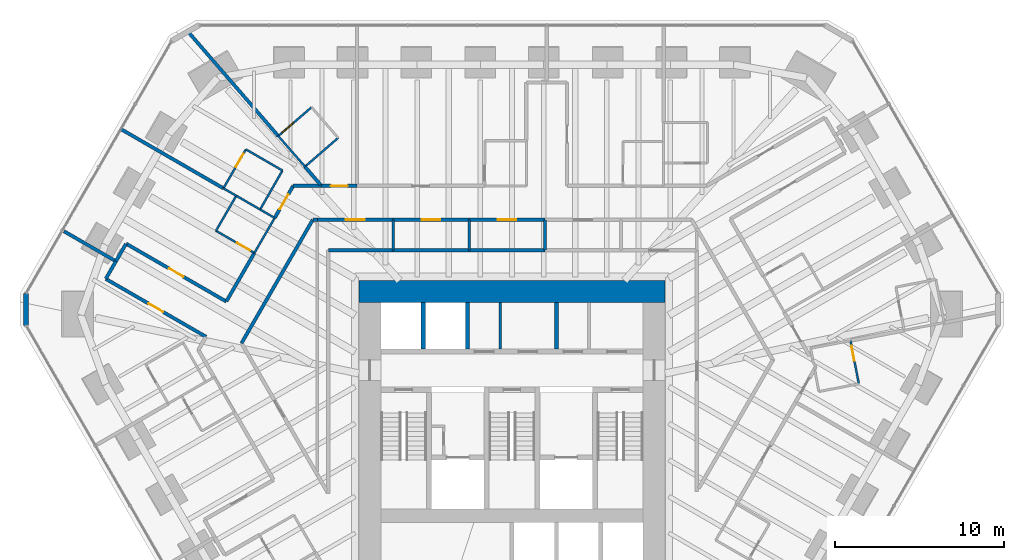
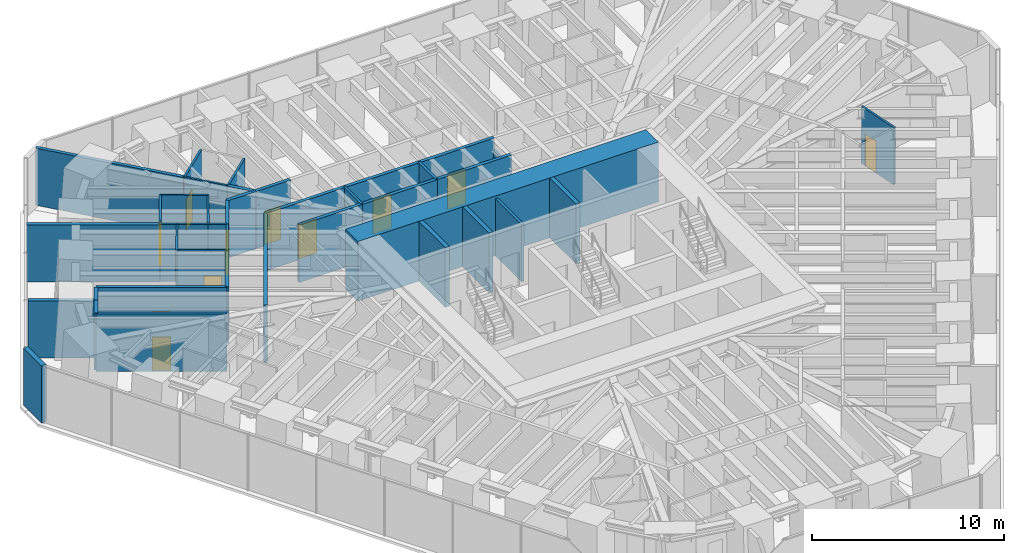
# One storey, part 14 of 17: 42 walls, 11 doors, 11 openings.
"""IFC4 building model written with IfcOpenShell, lengths in metres."""

from ifc_helpers import new_model, si_unit, direction, frame, frame_2d, origin, place, context, subcontext, project, spatial, rectangle, extrude, material, layer, layer_set, type_object, element, fill, save


model = new_model("IFC4")

# Units and contexts
model_context = context("Model", 3, precision=1e-05, world=origin(), true_north=direction((0.0, 1.0)))
body_context = subcontext(model_context, "Body", "Model", "MODEL_VIEW")
ifc_project = project(units=[si_unit("LENGTHUNIT", "METRE"), si_unit("AREAUNIT", "SQUARE_METRE"), si_unit("VOLUMEUNIT", "CUBIC_METRE"), si_unit("PLANEANGLEUNIT", "RADIAN"), si_unit("MASSUNIT", "GRAM", prefix="KILO")], contexts=[model_context])

# Site, building, storey
site_placement = place(None, origin())
site = spatial("IfcSite", under=ifc_project, at=site_placement, CompositionType="ELEMENT")
building_placement = place(site_placement, origin())
building = spatial("IfcBuilding", under=site, at=building_placement, Name="Sandreach Pilgrim Tower", CompositionType="ELEMENT")
storey_placement = place(building_placement, frame((0.0, 0.0, 169.0)))
storey = spatial("IfcBuildingStorey", under=building, at=storey_placement, Name="L42", CompositionType="ELEMENT", Elevation=169.0)

# Walls
ifc_material_1 = material(Name="Gypsum board on steel studs", Category="steel")
ifc_layer_1 = layer(ifc_material_1, 0.14990234375)
ifc_layer_set_1 = layer_set([ifc_layer_1], Name="Back of house wall 150")
wall_type_1 = type_object("IfcWallType", Name="Back of house wall 150", PredefinedType="PARTITIONING", material=ifc_layer_set_1)
for number, where, z_axis, x_axis, name in (
    (1, (-7.02001953125, 10.989990234375, 0.0), (0.0, 0.0, 1.0), (0.0, -1.0, 0.0), "Back of house wall L42-064"),
    (2, (-2.530029296875, 10.989990234375, 0.0), (0.0, 0.0, 1.0), (0.0, -1.0, 0.0), "Back of house wall L42-083"),
):
    element("IfcWall", number, at=place(storey_placement, frame(where, z_axis=z_axis, x_axis=x_axis)), inside=storey, type_object=wall_type_1, Name=name, PredefinedType="PARTITIONING", context=body_context, shape_type="SweptSolid", body=[
        extrude(rectangle(XDim=1.7900390625, YDim=0.14990234375, at=frame_2d((0.89501953125, 0.0))), origin(), (0.0, 0.0, 1.0), 3.639892578125),
    ])
wall_1_placement = place(storey_placement, frame((1.949951171875, 10.989990234375, 0.0), z_axis=(0.0, 0.0, 1.0), x_axis=(0.0, -1.0, 0.0)))
element("IfcWall", 3, at=wall_1_placement, inside=storey, type_object=wall_type_1, Name="Back of house wall L42-099", PredefinedType="PARTITIONING", context=body_context, shape_type="SweptSolid", body=[
    extrude(rectangle(XDim=1.7900390625, YDim=0.14990234375, at=frame_2d((0.89501953125, 0.0))), origin(), (0.0, 0.0, 1.0), 2.860107421875),
])
wall_2_placement = place(storey_placement, frame((-0.699951171875, 3.35009765625, 0.0), z_axis=(0.0, 0.0, 1.0), x_axis=(0.0, 1.0, 0.0)))
element("IfcWall", 4, at=wall_2_placement, inside=storey, type_object=wall_type_1, Name="Core room partition L42 1", PredefinedType="PARTITIONING", context=body_context, shape_type="SweptSolid", body=[
    extrude(rectangle(XDim=2.75, YDim=0.14990234375, at=frame_2d((1.375, 0.0))), origin(), (0.0, 0.0, 1.0), 3.639892578125),
])

# Wall, opening, door
ifc_material_2 = material(Name="Moisture-resistant gypsum board on steel studs", Category="steel")
ifc_layer_2 = layer(ifc_material_2, 0.1201171875)
ifc_layer_set_2 = layer_set([ifc_layer_2], Name="Bathroom partition 120")
wall_type_2 = type_object("IfcWallType", Name="Bathroom partition 120", PredefinedType="PARTITIONING", material=ifc_layer_set_2)
wall_3_placement = place(storey_placement, frame((-17.489990234375, 10.340087890625, 0.0), z_axis=(0.0, 0.0, 1.0), x_axis=(0.866114241029, -0.499846097802, 0.0)))
wall_3 = element("IfcWall", 5, at=wall_3_placement, inside=storey, type_object=wall_type_2, Name="Bathroom partition L42-022", PredefinedType="PARTITIONING", context=body_context, shape_type="SweptSolid", body=[
    extrude(rectangle(XDim=2.620849609375, YDim=0.1201171875, at=frame_2d((1.310546875, 0.0))), origin(), (0.0, 0.0, 1.0), 3.639892578125),
])
opening_1_placement = place(wall_3_placement, frame((1.4208984375, 0.0, 0.0)))
opening_1 = element("IfcOpeningElement", 6, at=opening_1_placement, cuts=wall_3, Name="Opening D09-17B", PredefinedType="OPENING", context=body_context, shape_type="SweptSolid", body=[
    extrude(rectangle(XDim=0.89990234375, YDim=2.030029296875, at=frame_2d((0.449951171875, 1.01513671875))), frame((0.0, 0.06005859375, 0.0), z_axis=(0.0, -1.0, 0.0), x_axis=(1.0, 0.0, 0.0)), (0.0, 0.0, 1.0), 0.1201171875),
])
ifc_material_3 = material(Name="Timber door, steel frame", Category="steel")
door_type_1 = type_object("IfcDoorType", Name="Bathroom door", OperationType="SINGLE_SWING_LEFT", PredefinedType="DOOR", material=ifc_material_3)
door_1_placement = place(opening_1_placement, origin())
door_1 = element("IfcDoor", 7, at=door_1_placement, inside=storey, type_object=door_type_1, Name="Door 4217B", OperationType="SINGLE_SWING_RIGHT", OverallHeight=2.030029296875, OverallWidth=0.89990234375, PredefinedType="DOOR", context=body_context, shape_type="SweptSolid", body=[
    extrude(rectangle(XDim=0.89990234375, YDim=2.030029296875, at=frame_2d((0.449951171875, 1.01513671875))), frame((0.0, 0.02490234375, 0.0), z_axis=(0.0, -1.0, 0.0), x_axis=(1.0, 0.0, 0.0)), (0.0, 0.0, 1.0), 0.050048828125),
])
fill(opening_1, door_1)

# Walls
wall_4_placement = place(storey_placement, frame((-17.050537109375, 12.849365234375, 0.0), z_axis=(0.0, 0.0, 1.0), x_axis=(0.865838315616, -0.500323906295, 0.0)))
element("IfcWall", 8, at=wall_4_placement, inside=storey, type_object=wall_type_2, Name="Bathroom partition L42-023", PredefinedType="PARTITIONING", context=body_context, shape_type="SweptSolid", body=[
    extrude(rectangle(XDim=0.87841796875, YDim=0.1201171875, at=frame_2d((0.439208984375, 0.0))), origin(), (0.0, 0.0, 1.0), 3.639892578125),
])
wall_5_placement = place(storey_placement, frame((-16.2900390625, 12.409912109375, 0.0), z_axis=(0.0, 0.0, 1.0), x_axis=(-0.501547039172, -0.865130376012, 0.0)))
element("IfcWall", 9, at=wall_5_placement, inside=storey, type_object=wall_type_2, Name="Bathroom partition L42-028", PredefinedType="PARTITIONING", context=body_context, shape_type="SweptSolid", body=[
    extrude(rectangle(XDim=2.392578125, YDim=0.1201171875, at=frame_2d((1.1962890625, 0.0))), origin(), (0.0, 0.0, 1.0), 3.639892578125),
])
wall_6_placement = place(storey_placement, frame((-16.2900390625, 12.409912109375, 0.0), z_axis=(0.0, 0.0, 1.0), x_axis=(0.866138091645, -0.499804768086, 0.0)))
element("IfcWall", 10, at=wall_6_placement, inside=storey, type_object=wall_type_2, Name="Bathroom partition L42-029", PredefinedType="PARTITIONING", context=body_context, shape_type="SweptSolid", body=[
    extrude(rectangle(XDim=1.626220703125, YDim=0.1201171875, at=frame_2d((0.81298828125, 0.0))), origin(), (0.0, 0.0, 1.0), 3.639892578125),
])

# Wall, opening, door
wall_7_placement = place(storey_placement, frame((-15.719970703125, 15.14990234375, 0.0), z_axis=(0.0, 0.0, 1.0), x_axis=(-0.500605174168, -0.865675724273, 0.0)))
wall_7 = element("IfcWall", 11, at=wall_7_placement, inside=storey, type_object=wall_type_2, Name="Bathroom partition L42-031", PredefinedType="PARTITIONING", context=body_context, shape_type="SweptSolid", body=[
    extrude(rectangle(XDim=2.656982421875, YDim=0.1201171875, at=frame_2d((1.32861328125, 0.0))), origin(), (0.0, 0.0, 1.0), 3.639892578125),
])
opening_2_placement = place(wall_7_placement, frame((0.300048828125, 0.0, 0.0)))
opening_2 = element("IfcOpeningElement", 12, at=opening_2_placement, cuts=wall_7, Name="Opening D09-18B", PredefinedType="OPENING", context=body_context, shape_type="SweptSolid", body=[
    extrude(rectangle(XDim=0.89990234375, YDim=2.030029296875, at=frame_2d((0.449951171875, 1.01513671875))), frame((0.0, 0.06005859375, 0.0), z_axis=(0.0, -1.0, 0.0), x_axis=(1.0, 0.0, 0.0)), (0.0, 0.0, 1.0), 0.1201171875),
])
door_2_placement = place(opening_2_placement, origin())
door_2 = element("IfcDoor", 13, at=door_2_placement, inside=storey, type_object=door_type_1, Name="Door 4218B", OperationType="SINGLE_SWING_LEFT", OverallHeight=2.030029296875, OverallWidth=0.89990234375, PredefinedType="DOOR", context=body_context, shape_type="SweptSolid", body=[
    extrude(rectangle(XDim=0.89990234375, YDim=2.030029296875, at=frame_2d((0.449951171875, 1.01513671875))), frame((0.0, 0.02490234375, 0.0), z_axis=(0.0, -1.0, 0.0), x_axis=(1.0, 0.0, 0.0)), (0.0, 0.0, 1.0), 0.050048828125),
])
fill(opening_2, door_2)

# Walls
wall_8_placement = place(storey_placement, frame((-15.219970703125, 9.030029296875, 0.0), z_axis=(0.0, 0.0, 1.0), x_axis=(0.501502765098, 0.865156041763, 0.0)))
element("IfcWall", 14, at=wall_8_placement, inside=storey, type_object=wall_type_2, Name="Bathroom partition L42-032", PredefinedType="PARTITIONING", context=body_context, shape_type="SweptSolid", body=[
    extrude(rectangle(XDim=2.392822265625, YDim=0.1201171875, at=frame_2d((1.1962890625, 0.0))), origin(), (0.0, 0.0, 1.0), 3.639892578125),
])
wall_9_placement = place(storey_placement, frame((-14.881591796875, 11.59716796875, 0.0), z_axis=(0.0, 0.0, 1.0), x_axis=(0.866181499781, -0.499729536286, 0.0)))
element("IfcWall", 15, at=wall_9_placement, inside=storey, type_object=wall_type_2, Name="Bathroom partition L42-035", PredefinedType="PARTITIONING", context=body_context, shape_type="SweptSolid", body=[
    extrude(rectangle(XDim=0.99462890625, YDim=0.1201171875, at=frame_2d((0.497314453125, 0.0))), origin(), (0.0, 0.0, 1.0), 3.639892578125),
])
wall_10_placement = place(storey_placement, frame((-14.8798828125, 11.60009765625, 0.0), z_axis=(0.0, 0.0, 1.0), x_axis=(0.497704656183, 0.867346571569, 0.0)))
element("IfcWall", 16, at=wall_10_placement, inside=storey, type_object=wall_type_2, Name="Bathroom partition L42-036", PredefinedType="PARTITIONING", context=body_context, shape_type="SweptSolid", body=[
    extrude(rectangle(XDim=2.65185546875, YDim=0.1201171875, at=frame_2d((1.325927734375, 0.0))), origin(), (0.0, 0.0, 1.0), 3.639892578125),
])
wall_11_placement = place(storey_placement, frame((-13.81005859375, 15.93994140625, 0.0), z_axis=(0.0, 0.0, 1.0), x_axis=(0.657626528627, -0.753344110514, 0.0)))
element("IfcWall", 17, at=wall_11_placement, inside=storey, type_object=wall_type_2, Name="Bathroom partition L42-040", PredefinedType="PARTITIONING", context=body_context, shape_type="SweptSolid", body=[
    extrude(rectangle(XDim=2.402587890625, YDim=0.1201171875, at=frame_2d((1.201171875, 0.0))), origin(), (0.0, 0.0, 1.0), 3.639892578125),
])
wall_12_placement = place(storey_placement, frame((-13.56005859375, 13.89990234375, 0.0), z_axis=(0.0, 0.0, 1.0), x_axis=(-0.865508881864, 0.500893576935, 0.0)))
element("IfcWall", 18, at=wall_12_placement, inside=storey, type_object=wall_type_2, Name="Bathroom partition L42-042", PredefinedType="PARTITIONING", context=body_context, shape_type="SweptSolid", body=[
    extrude(rectangle(XDim=2.49560546875, YDim=0.1201171875, at=frame_2d((1.247802734375, 0.0))), origin(), (0.0, 0.0, 1.0), 3.639892578125),
])
wall_13_placement = place(storey_placement, frame((-12.22998046875, 14.1298828125, 0.0), z_axis=(0.0, 0.0, 1.0), x_axis=(0.755390958893, 0.655274369423, 0.0)))
element("IfcWall", 19, at=wall_13_placement, inside=storey, type_object=wall_type_2, Name="Bathroom partition L42-045", PredefinedType="PARTITIONING", context=body_context, shape_type="SweptSolid", body=[
    extrude(rectangle(XDim=2.5947265625, YDim=0.1201171875, at=frame_2d((1.29736328125, 0.0))), origin(), (0.0, 0.0, 1.0), 3.639892578125),
])

# Wall, opening, door
wall_14_placement = place(storey_placement, frame((-11.840087890625, 17.639892578125, 0.0), z_axis=(0.0, 0.0, 1.0), x_axis=(-0.757086659925, -0.653314464377, 0.0)))
wall_14 = element("IfcWall", 20, at=wall_14_placement, inside=storey, type_object=wall_type_2, Name="Bathroom partition L42-046", PredefinedType="PARTITIONING", context=body_context, shape_type="SweptSolid", body=[
    extrude(rectangle(XDim=2.60205078125, YDim=0.1201171875, at=frame_2d((1.301025390625, 0.0))), origin(), (0.0, 0.0, 1.0), 3.639892578125),
])
opening_3_placement = place(wall_14_placement, frame((1.402099609375, 0.0, 0.0)))
opening_3 = element("IfcOpeningElement", 21, at=opening_3_placement, cuts=wall_14, Name="Opening D09-01B", PredefinedType="OPENING", context=body_context, shape_type="SweptSolid", body=[
    extrude(rectangle(XDim=0.89990234375, YDim=2.030029296875, at=frame_2d((0.449951171875, 1.01513671875))), frame((0.0, 0.06005859375, 0.0), z_axis=(0.0, -1.0, 0.0), x_axis=(1.0, 0.0, 0.0)), (0.0, 0.0, 1.0), 0.1201171875),
])
door_3_placement = place(opening_3_placement, origin())
door_3 = element("IfcDoor", 22, at=door_3_placement, inside=storey, type_object=door_type_1, Name="Door 4201B", OperationType="SINGLE_SWING_RIGHT", OverallHeight=2.030029296875, OverallWidth=0.89990234375, PredefinedType="DOOR", context=body_context, shape_type="SweptSolid", body=[
    extrude(rectangle(XDim=0.89990234375, YDim=2.030029296875, at=frame_2d((0.449951171875, 1.01513671875))), frame((0.0, 0.02490234375, 0.0), z_axis=(0.0, -1.0, 0.0), x_axis=(1.0, 0.0, 0.0)), (0.0, 0.0, 1.0), 0.050048828125),
])
fill(opening_3, door_3)

wall_15_placement = place(storey_placement, frame((20.489990234375, 1.300048828125, 0.0), z_axis=(0.0, 0.0, 1.0), x_axis=(-0.188697442844, 0.982035271802, 0.0)))
wall_15 = element("IfcWall", 23, at=wall_15_placement, inside=storey, type_object=wall_type_2, Name="Bathroom partition L42-174", PredefinedType="PARTITIONING", context=body_context, shape_type="SweptSolid", body=[
    extrude(rectangle(XDim=2.5966796875, YDim=0.1201171875, at=frame_2d((1.29833984375, 0.0))), origin(), (0.0, 0.0, 1.0), 3.639892578125),
])
opening_4_placement = place(wall_15_placement, frame((1.396728515625, 0.0, 0.0)))
opening_4 = element("IfcOpeningElement", 24, at=opening_4_placement, cuts=wall_15, Name="Opening D09-07B", PredefinedType="OPENING", context=body_context, shape_type="SweptSolid", body=[
    extrude(rectangle(XDim=0.89990234375, YDim=2.030029296875, at=frame_2d((0.449951171875, 1.01513671875))), frame((0.0, 0.06005859375, 0.0), z_axis=(0.0, -1.0, 0.0), x_axis=(1.0, 0.0, 0.0)), (0.0, 0.0, 1.0), 0.1201171875),
])
door_4_placement = place(opening_4_placement, origin())
door_4 = element("IfcDoor", 25, at=door_4_placement, inside=storey, type_object=door_type_1, Name="Door 4207B", OperationType="SINGLE_SWING_RIGHT", OverallHeight=2.030029296875, OverallWidth=0.89990234375, PredefinedType="DOOR", context=body_context, shape_type="SweptSolid", body=[
    extrude(rectangle(XDim=0.89990234375, YDim=2.030029296875, at=frame_2d((0.449951171875, 1.01513671875))), frame((0.0, 0.02490234375, 0.0), z_axis=(0.0, -1.0, 0.0), x_axis=(1.0, 0.0, 0.0)), (0.0, 0.0, 1.0), 0.050048828125),
])
fill(opening_4, door_4)

# Wall
ifc_material_4 = material(Name="Concrete 10000 psi", Category="concrete")
ifc_layer_3 = layer(ifc_material_4, 1.300048828125)
ifc_layer_set_3 = layer_set([ifc_layer_3], Name="Core wall 1300")
wall_type_3 = type_object("IfcWallType", Name="Core wall 1300", PredefinedType="SHEAR", material=ifc_layer_set_3)
wall_16_placement = place(storey_placement, frame((-9.050048828125, 6.75, 0.0), z_axis=(0.0, 0.0, 1.0), x_axis=(1.0, 0.0, 0.0)))
element("IfcWall", 26, at=wall_16_placement, inside=storey, type_object=wall_type_3, Name="Core wall N L42", PredefinedType="SHEAR", context=body_context, shape_type="SweptSolid", body=[
    extrude(rectangle(XDim=18.10009765625, YDim=1.300048828125, at=frame_2d((9.050048828125, 0.0))), origin(), (0.0, 0.0, 1.0), 3.800048828125),
])

# Wall, opening, door
ifc_material_5 = material(Name="Gypsum board on steel studs, two layers each side", Category="steel")
ifc_layer_4 = layer(ifc_material_5, 0.199951171875)
ifc_layer_set_4 = layer_set([ifc_layer_4], Name="Corridor wall 200")
wall_type_4 = type_object("IfcWallType", Name="Corridor wall 200", PredefinedType="PARTITIONING", material=ifc_layer_set_4)
wall_17_placement = place(storey_placement, frame((-24.0, 7.5, 0.0), z_axis=(0.0, 0.0, 1.0), x_axis=(0.86589532135, -0.50022524173, 0.0)))
wall_17 = element("IfcWall", 27, at=wall_17_placement, inside=storey, type_object=wall_type_4, Name="Corridor wall L42-003", PredefinedType="PARTITIONING", context=body_context, shape_type="SweptSolid", body=[
    extrude(rectangle(XDim=6.836669921875, YDim=0.199951171875, at=frame_2d((3.41845703125, 0.0))), origin(), (0.0, 0.0, 1.0), 3.639892578125),
])
opening_5_placement = place(wall_17_placement, frame((2.91845703125, 0.0, 0.0)))
opening_5 = element("IfcOpeningElement", 28, at=opening_5_placement, cuts=wall_17, Name="Opening D10-16", PredefinedType="OPENING", context=body_context, shape_type="SweptSolid", body=[
    extrude(rectangle(XDim=1.0, YDim=2.1298828125, at=frame_2d((0.5, 1.06494140625))), frame((0.0, 0.10009765625, 0.0), z_axis=(0.0, -1.0, 0.0), x_axis=(1.0, 0.0, 0.0)), (0.0, 0.0, 1.0), 0.199951171875),
])
ifc_material_6 = material(Name="Steel door and frame", Category="steel")
door_type_2 = type_object("IfcDoorType", Name="Guest room entry door", OperationType="SINGLE_SWING_LEFT", PredefinedType="DOOR", material=ifc_material_6)
door_5_placement = place(opening_5_placement, origin())
door_5 = element("IfcDoor", 29, at=door_5_placement, inside=storey, type_object=door_type_2, Name="Door 4216", OperationType="SINGLE_SWING_LEFT", OverallHeight=2.1298828125, OverallWidth=1.0, PredefinedType="DOOR", context=body_context, shape_type="SweptSolid", body=[
    extrude(rectangle(XDim=1.0, YDim=2.1298828125, at=frame_2d((0.5, 1.06494140625))), frame((0.0, 0.02490234375, 0.0), z_axis=(0.0, -1.0, 0.0), x_axis=(1.0, 0.0, 0.0)), (0.0, 0.0, 1.0), 0.050048828125),
])
fill(opening_5, door_5)

# Walls
wall_18_placement = place(storey_placement, frame((-23.9951171875, 7.508544921875, 0.0), z_axis=(0.0, 0.0, 1.0), x_axis=(0.4997993564, 0.866141214434, 0.0)))
element("IfcWall", 30, at=wall_18_placement, inside=storey, type_object=wall_type_4, Name="Corridor wall L42-004", PredefinedType="PARTITIONING", context=body_context, shape_type="SweptSolid", body=[
    extrude(rectangle(XDim=1.19091796875, YDim=0.199951171875, at=frame_2d((0.595458984375, 0.0))), origin(), (0.0, 0.0, 1.0), 3.639892578125),
])
wall_19_placement = place(storey_placement, frame((-23.39990234375, 8.5400390625, 0.0), z_axis=(0.0, 0.0, 1.0), x_axis=(0.499704629046, 0.866195869137, 0.0)))
element("IfcWall", 31, at=wall_19_placement, inside=storey, type_object=wall_type_4, Name="Corridor wall L42-005", PredefinedType="PARTITIONING", context=body_context, shape_type="SweptSolid", body=[
    extrude(rectangle(XDim=1.185791015625, YDim=0.199951171875, at=frame_2d((0.5927734375, 0.0))), origin(), (0.0, 0.0, 1.0), 3.639892578125),
])

# Wall, opening, door
wall_20_placement = place(storey_placement, frame((-16.8798828125, 6.159912109375, 0.0), z_axis=(0.0, 0.0, 1.0), x_axis=(-0.86588878962, 0.500236548055, 0.0)))
wall_20 = element("IfcWall", 32, at=wall_20_placement, inside=storey, type_object=wall_type_4, Name="Corridor wall L42-025", PredefinedType="PARTITIONING", context=body_context, shape_type="SweptSolid", body=[
    extrude(rectangle(XDim=6.837158203125, YDim=0.199951171875, at=frame_2d((3.41845703125, 0.0))), origin(), (0.0, 0.0, 1.0), 3.639892578125),
])
opening_6_placement = place(wall_20_placement, frame((2.91845703125, 0.0, 0.0)))
opening_6 = element("IfcOpeningElement", 33, at=opening_6_placement, cuts=wall_20, Name="Opening D10-17", PredefinedType="OPENING", context=body_context, shape_type="SweptSolid", body=[
    extrude(rectangle(XDim=1.0, YDim=2.1298828125, at=frame_2d((0.5, 1.06494140625))), frame((0.0, 0.10009765625, 0.0), z_axis=(0.0, -1.0, 0.0), x_axis=(1.0, 0.0, 0.0)), (0.0, 0.0, 1.0), 0.199951171875),
])
door_6_placement = place(opening_6_placement, origin())
door_6 = element("IfcDoor", 34, at=door_6_placement, inside=storey, type_object=door_type_2, Name="Door 4217", OperationType="SINGLE_SWING_LEFT", OverallHeight=2.1298828125, OverallWidth=1.0, PredefinedType="DOOR", context=body_context, shape_type="SweptSolid", body=[
    extrude(rectangle(XDim=1.0, YDim=2.1298828125, at=frame_2d((0.5, 1.06494140625))), frame((0.0, 0.02490234375, 0.0), z_axis=(0.0, -1.0, 0.0), x_axis=(1.0, 0.0, 0.0)), (0.0, 0.0, 1.0), 0.050048828125),
])
fill(opening_6, door_6)

# Walls
wall_21_placement = place(storey_placement, frame((-16.875, 6.168701171875, 0.0), z_axis=(0.0, 0.0, 1.0), x_axis=(0.500689767595, 0.865626799854, 0.0)))
element("IfcWall", 35, at=wall_21_placement, inside=storey, type_object=wall_type_4, Name="Corridor wall L42-026", PredefinedType="PARTITIONING", context=body_context, shape_type="SweptSolid", body=[
    extrude(rectangle(XDim=3.305419921875, YDim=0.199951171875, at=frame_2d((1.65283203125, 0.0))), origin(), (0.0, 0.0, 1.0), 3.639892578125),
])
wall_22_placement = place(storey_placement, frame((-15.97998046875, 3.699951171875, 0.0), z_axis=(0.0, 0.0, 1.0), x_axis=(0.500093981358, 0.865971136822, 0.0)))
element("IfcWall", 36, at=wall_22_placement, inside=storey, type_object=wall_type_4, Name="Corridor wall L42-030", PredefinedType="PARTITIONING", context=body_context, shape_type="SweptSolid", body=[
    extrude(rectangle(XDim=8.41845703125, YDim=0.199951171875, at=frame_2d((4.209228515625, 0.0))), origin(), (0.0, 0.0, 1.0), 3.639892578125),
])

# Wall, opening, door
wall_23_placement = place(storey_placement, frame((-14.02001953125, 11.10009765625, 0.0), z_axis=(0.0, 0.0, 1.0), x_axis=(0.499641723021, 0.866232156305, 0.0)))
wall_23 = element("IfcWall", 37, at=wall_23_placement, inside=storey, type_object=wall_type_4, Name="Corridor wall L42-039", PredefinedType="PARTITIONING", context=body_context, shape_type="SweptSolid", body=[
    extrude(rectangle(XDim=2.181640625, YDim=0.199951171875, at=frame_2d((1.0908203125, 0.0))), origin(), (0.0, 0.0, 1.0), 3.639892578125),
])
opening_7_placement = place(wall_23_placement, frame((0.5908203125, 0.0, 0.0)))
opening_7 = element("IfcOpeningElement", 38, at=opening_7_placement, cuts=wall_23, Name="Opening D10-18", PredefinedType="OPENING", context=body_context, shape_type="SweptSolid", body=[
    extrude(rectangle(XDim=1.0, YDim=2.1298828125, at=frame_2d((0.5, 1.06494140625))), frame((0.0, 0.10009765625, 0.0), z_axis=(0.0, -1.0, 0.0), x_axis=(1.0, 0.0, 0.0)), (0.0, 0.0, 1.0), 0.199951171875),
])
door_7_placement = place(opening_7_placement, origin())
door_7 = element("IfcDoor", 39, at=door_7_placement, inside=storey, type_object=door_type_2, Name="Door 4218", OperationType="SINGLE_SWING_LEFT", OverallHeight=2.1298828125, OverallWidth=1.0, PredefinedType="DOOR", context=body_context, shape_type="SweptSolid", body=[
    extrude(rectangle(XDim=1.0, YDim=2.1298828125, at=frame_2d((0.5, 1.06494140625))), frame((0.0, 0.02490234375, 0.0), z_axis=(0.0, -1.0, 0.0), x_axis=(1.0, 0.0, 0.0)), (0.0, 0.0, 1.0), 0.050048828125),
])
fill(opening_7, door_7)

# Wall
wall_24_placement = place(storey_placement, frame((-11.77001953125, 10.989990234375, 0.0), z_axis=(0.0, 0.0, 1.0), x_axis=(1.0, 0.0, 0.0)))
element("IfcWall", 40, at=wall_24_placement, inside=storey, type_object=wall_type_4, Name="Corridor wall L42-047", PredefinedType="PARTITIONING", context=body_context, shape_type="SweptSolid", body=[
    extrude(rectangle(XDim=0.27001953125, YDim=0.199951171875, at=frame_2d((0.135009765625, 0.0))), origin(), (0.0, 0.0, 1.0), 3.639892578125),
])

# Wall, opening, door
wall_25_placement = place(storey_placement, frame((-11.5, 10.989990234375, 0.0), z_axis=(0.0, 0.0, 1.0), x_axis=(1.0, 0.0, 0.0)))
wall_25 = element("IfcWall", 41, at=wall_25_placement, inside=storey, type_object=wall_type_4, Name="Corridor wall L42-051", PredefinedType="PARTITIONING", context=body_context, shape_type="SweptSolid", body=[
    extrude(rectangle(XDim=4.47998046875, YDim=0.199951171875, at=frame_2d((2.239990234375, 0.0))), origin(), (0.0, 0.0, 1.0), 3.639892578125),
])
opening_8_placement = place(wall_25_placement, frame((1.68994140625, 0.0, 0.0)))
opening_8 = element("IfcOpeningElement", 42, at=opening_8_placement, cuts=wall_25, Name="Opening D11H-M02", PredefinedType="OPENING", context=body_context, shape_type="SweptSolid", body=[
    extrude(rectangle(XDim=1.10009765625, YDim=2.199951171875, at=frame_2d((0.550048828125, 1.10009765625))), frame((0.0, 0.10009765625, 0.0), z_axis=(0.0, -1.0, 0.0), x_axis=(1.0, 0.0, 0.0)), (0.0, 0.0, 1.0), 0.199951171875),
])
ifc_material_7 = material(Name="Steel door and frame", Category="steel")
door_type_3 = type_object("IfcDoorType", Name="Back of house door", OperationType="SINGLE_SWING_LEFT", PredefinedType="DOOR", material=ifc_material_7)
door_8_placement = place(opening_8_placement, origin())
door_8 = element("IfcDoor", 43, at=door_8_placement, inside=storey, type_object=door_type_3, Name="Door 42M02", OperationType="SINGLE_SWING_LEFT", OverallHeight=2.199951171875, OverallWidth=1.10009765625, PredefinedType="DOOR", context=body_context, shape_type="SweptSolid", body=[
    extrude(rectangle(XDim=1.10009765625, YDim=2.199951171875, at=frame_2d((0.550048828125, 1.10009765625))), frame((0.0, 0.02490234375, 0.0), z_axis=(0.0, -1.0, 0.0), x_axis=(1.0, 0.0, 0.0)), (0.0, 0.0, 1.0), 0.050048828125),
])
fill(opening_8, door_8)

# Wall
wall_26_placement = place(storey_placement, frame((-11.25, 12.989990234375, 0.0), z_axis=(0.0, 0.0, 1.0), x_axis=(-1.0, 0.0, 0.0)))
element("IfcWall", 44, at=wall_26_placement, inside=storey, type_object=wall_type_4, Name="Corridor wall L42-052", PredefinedType="PARTITIONING", context=body_context, shape_type="SweptSolid", body=[
    extrude(rectangle(XDim=1.679931640625, YDim=0.199951171875, at=frame_2d((0.83984375, 0.0))), origin(), (0.0, 0.0, 1.0), 3.639892578125),
])

# Wall, opening, door
wall_27_placement = place(storey_placement, frame((-9.159912109375, 12.989990234375, 0.0), z_axis=(0.0, 0.0, 1.0), x_axis=(-1.0, 0.0, 0.0)))
wall_27 = element("IfcWall", 45, at=wall_27_placement, inside=storey, type_object=wall_type_4, Name="Corridor wall L42-058", PredefinedType="PARTITIONING", context=body_context, shape_type="SweptSolid", body=[
    extrude(rectangle(XDim=2.090087890625, YDim=0.199951171875, at=frame_2d((1.044921875, 0.0))), origin(), (0.0, 0.0, 1.0), 3.639892578125),
])
opening_9_placement = place(wall_27_placement, frame((0.544921875, 0.0, 0.0)))
opening_9 = element("IfcOpeningElement", 46, at=opening_9_placement, cuts=wall_27, Name="Opening D10-01", PredefinedType="OPENING", context=body_context, shape_type="SweptSolid", body=[
    extrude(rectangle(XDim=1.0, YDim=2.1298828125, at=frame_2d((0.5, 1.06494140625))), frame((0.0, 0.10009765625, 0.0), z_axis=(0.0, -1.0, 0.0), x_axis=(1.0, 0.0, 0.0)), (0.0, 0.0, 1.0), 0.199951171875),
])
door_9_placement = place(opening_9_placement, origin())
door_9 = element("IfcDoor", 47, at=door_9_placement, inside=storey, type_object=door_type_2, Name="Door 4201", OperationType="SINGLE_SWING_LEFT", OverallHeight=2.1298828125, OverallWidth=1.0, PredefinedType="DOOR", context=body_context, shape_type="SweptSolid", body=[
    extrude(rectangle(XDim=1.0, YDim=2.1298828125, at=frame_2d((0.5, 1.06494140625))), frame((0.0, 0.02490234375, 0.0), z_axis=(0.0, -1.0, 0.0), x_axis=(1.0, 0.0, 0.0)), (0.0, 0.0, 1.0), 0.050048828125),
])
fill(opening_9, door_9)

# Wall
wall_28_placement = place(storey_placement, frame((-7.02001953125, 9.199951171875, 0.0), z_axis=(0.0, 0.0, 1.0), x_axis=(-1.0, 0.0, 0.0)))
element("IfcWall", 48, at=wall_28_placement, inside=storey, type_object=wall_type_4, Name="Corridor wall L42-063", PredefinedType="PARTITIONING", context=body_context, shape_type="SweptSolid", body=[
    extrude(rectangle(XDim=3.820068359375, YDim=0.199951171875, at=frame_2d((1.91015625, 0.0))), origin(), (0.0, 0.0, 1.0), 3.639892578125),
])

# Wall, opening, door
wall_29_placement = place(storey_placement, frame((-7.02001953125, 10.989990234375, 0.0), z_axis=(0.0, 0.0, 1.0), x_axis=(1.0, 0.0, 0.0)))
wall_29 = element("IfcWall", 49, at=wall_29_placement, inside=storey, type_object=wall_type_4, Name="Corridor wall L42-065", PredefinedType="PARTITIONING", context=body_context, shape_type="SweptSolid", body=[
    extrude(rectangle(XDim=4.489990234375, YDim=0.199951171875, at=frame_2d((2.2451171875, 0.0))), origin(), (0.0, 0.0, 1.0), 3.639892578125),
])
opening_10_placement = place(wall_29_placement, frame((1.695068359375, 0.0, 0.0)))
opening_10 = element("IfcOpeningElement", 50, at=opening_10_placement, cuts=wall_29, Name="Opening D11H-M03", PredefinedType="OPENING", context=body_context, shape_type="SweptSolid", body=[
    extrude(rectangle(XDim=1.10009765625, YDim=2.199951171875, at=frame_2d((0.550048828125, 1.10009765625))), frame((0.0, 0.10009765625, 0.0), z_axis=(0.0, -1.0, 0.0), x_axis=(1.0, 0.0, 0.0)), (0.0, 0.0, 1.0), 0.199951171875),
])
door_10_placement = place(opening_10_placement, origin())
door_10 = element("IfcDoor", 51, at=door_10_placement, inside=storey, type_object=door_type_3, Name="Door 42M03", OperationType="SINGLE_SWING_LEFT", OverallHeight=2.199951171875, OverallWidth=1.10009765625, PredefinedType="DOOR", context=body_context, shape_type="SweptSolid", body=[
    extrude(rectangle(XDim=1.10009765625, YDim=2.199951171875, at=frame_2d((0.550048828125, 1.10009765625))), frame((0.0, 0.02490234375, 0.0), z_axis=(0.0, -1.0, 0.0), x_axis=(1.0, 0.0, 0.0)), (0.0, 0.0, 1.0), 0.050048828125),
])
fill(opening_10, door_10)

# Wall
wall_30_placement = place(storey_placement, frame((-2.530029296875, 9.199951171875, 0.0), z_axis=(0.0, 0.0, 1.0), x_axis=(-1.0, 0.0, 0.0)))
element("IfcWall", 52, at=wall_30_placement, inside=storey, type_object=wall_type_4, Name="Corridor wall L42-082", PredefinedType="PARTITIONING", context=body_context, shape_type="SweptSolid", body=[
    extrude(rectangle(XDim=4.489990234375, YDim=0.199951171875, at=frame_2d((2.2451171875, 0.0))), origin(), (0.0, 0.0, 1.0), 3.639892578125),
])

# Wall, opening, door
wall_31_placement = place(storey_placement, frame((-2.530029296875, 10.989990234375, 0.0), z_axis=(0.0, 0.0, 1.0), x_axis=(1.0, 0.0, 0.0)))
wall_31 = element("IfcWall", 53, at=wall_31_placement, inside=storey, type_object=wall_type_4, Name="Corridor wall L42-084", PredefinedType="PARTITIONING", context=body_context, shape_type="SweptSolid", body=[
    extrude(rectangle(XDim=4.47998046875, YDim=0.199951171875, at=frame_2d((2.239990234375, 0.0))), origin(), (0.0, 0.0, 1.0), 3.639892578125),
])
opening_11_placement = place(wall_31_placement, frame((1.68994140625, 0.0, 0.0)))
opening_11 = element("IfcOpeningElement", 54, at=opening_11_placement, cuts=wall_31, Name="Opening D11H-M04", PredefinedType="OPENING", context=body_context, shape_type="SweptSolid", body=[
    extrude(rectangle(XDim=1.10009765625, YDim=2.199951171875, at=frame_2d((0.550048828125, 1.10009765625))), frame((0.0, 0.10009765625, 0.0), z_axis=(0.0, -1.0, 0.0), x_axis=(1.0, 0.0, 0.0)), (0.0, 0.0, 1.0), 0.199951171875),
])
door_11_placement = place(opening_11_placement, origin())
door_11 = element("IfcDoor", 55, at=door_11_placement, inside=storey, type_object=door_type_3, Name="Door 42M04", OperationType="SINGLE_SWING_LEFT", OverallHeight=2.199951171875, OverallWidth=1.10009765625, PredefinedType="DOOR", context=body_context, shape_type="SweptSolid", body=[
    extrude(rectangle(XDim=1.10009765625, YDim=2.199951171875, at=frame_2d((0.550048828125, 1.10009765625))), frame((0.0, 0.02490234375, 0.0), z_axis=(0.0, -1.0, 0.0), x_axis=(1.0, 0.0, 0.0)), (0.0, 0.0, 1.0), 0.050048828125),
])
fill(opening_11, door_11)

# Walls
wall_32_placement = place(storey_placement, frame((1.949951171875, 9.199951171875, 0.0), z_axis=(0.0, 0.0, 1.0), x_axis=(-1.0, 0.0, 0.0)))
element("IfcWall", 56, at=wall_32_placement, inside=storey, type_object=wall_type_4, Name="Corridor wall L42-098", PredefinedType="PARTITIONING", context=body_context, shape_type="SweptSolid", body=[
    extrude(rectangle(XDim=4.47998046875, YDim=0.199951171875, at=frame_2d((2.239990234375, 0.0))), origin(), (0.0, 0.0, 1.0), 3.639892578125),
])
ifc_material_8 = material(Name="Double steel stud acoustic wall, gypsum board", Category="steel")
ifc_layer_5 = layer(ifc_material_8, 0.199951171875)
ifc_layer_set_5 = layer_set([ifc_layer_5], Name="Party wall 200")
wall_type_5 = type_object("IfcWallType", Name="Party wall 200", PredefinedType="PARTITIONING", material=ifc_layer_set_5)
wall_33_placement = place(storey_placement, frame((-26.466064453125, 10.31005859375, 0.0), z_axis=(0.0, 0.0, 1.0), x_axis=(0.866048347789, -0.499960257712, 0.0)))
element("IfcWall", 57, at=wall_33_placement, inside=storey, type_object=wall_type_5, Name="Party wall L42-001", PredefinedType="PARTITIONING", context=body_context, shape_type="SweptSolid", body=[
    extrude(rectangle(XDim=3.525146484375, YDim=0.199951171875, at=frame_2d((1.7626953125, 0.0))), origin(), (0.0, 0.0, 1.0), 3.639892578125),
])
wall_34_placement = place(storey_placement, frame((-23.083984375, 16.3349609375, 0.0), z_axis=(0.0, 0.0, 1.0), x_axis=(0.865889693368, -0.500234983702, 0.0)))
element("IfcWall", 58, at=wall_34_placement, inside=storey, type_object=wall_type_5, Name="Party wall L42-006", PredefinedType="PARTITIONING", context=body_context, shape_type="SweptSolid", body=[
    extrude(rectangle(XDim=6.968017578125, YDim=0.199951171875, at=frame_2d((3.48388671875, 0.0))), origin(), (0.0, 0.0, 1.0), 3.639892578125),
])
wall_35_placement = place(storey_placement, frame((-19.160400390625, 22.127197265625, 0.0), z_axis=(0.0, 0.0, 1.0), x_axis=(0.654096091269, -0.756411464341, 0.0)))
element("IfcWall", 59, at=wall_35_placement, inside=storey, type_object=wall_type_5, Name="Party wall L42-013", PredefinedType="PARTITIONING", context=body_context, shape_type="SweptSolid", body=[
    extrude(rectangle(XDim=8.1796875, YDim=0.199951171875, at=frame_2d((4.08984375, 0.0))), origin(), (0.0, 0.0, 1.0), 3.639892578125),
])
wall_36_placement = place(storey_placement, frame((-12.232421875, 14.1279296875, 0.0), z_axis=(0.0, 0.0, 1.0), x_axis=(0.653452261281, -0.756967728656, 0.0)))
element("IfcWall", 60, at=wall_36_placement, inside=storey, type_object=wall_type_5, Name="Party wall L42-044", PredefinedType="PARTITIONING", context=body_context, shape_type="SweptSolid", body=[
    extrude(rectangle(XDim=1.4033203125, YDim=0.199951171875, at=frame_2d((0.70166015625, 0.0))), origin(), (0.0, 0.0, 1.0), 3.639892578125),
])
ifc_material_9 = material(Name="Gypsum shaft wall on steel studs, two layers of shaft liner board", Category="steel")
ifc_layer_6 = layer(ifc_material_9, 0.25)
ifc_layer_set_6 = layer_set([ifc_layer_6], Name="Shaft partition 250")
wall_type_6 = type_object("IfcWallType", Name="Shaft partition 250", PredefinedType="PARTITIONING", material=ifc_layer_set_6)
for number, where, z_axis, x_axis, name in (
    (61, (-5.25, 3.35009765625, 0.0), (0.0, 0.0, 1.0), (0.0, 1.0, 0.0), "Shaft partition NS0 L42"),
    (62, (-2.625, 3.35009765625, 0.0), (0.0, 0.0, 1.0), (0.0, 1.0, 0.0), "Shaft partition NS1 L42"),
    (63, (2.625, 3.35009765625, 0.0), (0.0, 0.0, 1.0), (0.0, 1.0, 0.0), "Shaft partition NS3 L42"),
):
    element("IfcWall", number, at=place(storey_placement, frame(where, z_axis=z_axis, x_axis=x_axis)), inside=storey, type_object=wall_type_6, Name=name, PredefinedType="PARTITIONING", context=body_context, shape_type="SweptSolid", body=[
        extrude(rectangle(XDim=2.75, YDim=0.25, at=frame_2d((1.375, 0.0))), origin(), (0.0, 0.0, 1.0), 3.800048828125),
    ])
ifc_material_10 = material(Name="Terracotta rainscreen on concrete", Category="masonry")
ifc_layer_7 = layer(ifc_material_10, 0.300048828125)
ifc_layer_set_7 = layer_set([ifc_layer_7], Name="Terracotta chamfer pier")
wall_type_7 = type_object("IfcWallType", Name="Terracotta chamfer pier", PredefinedType="SOLIDWALL", material=ifc_layer_set_7)
wall_37_placement = place(storey_placement, frame((-28.720947265625, 4.758544921875, 0.0), z_axis=(0.0, 0.0, 1.0), x_axis=(0.0, 1.0, 0.0)))
element("IfcWall", 64, at=wall_37_placement, inside=storey, type_object=wall_type_7, Name="Chamfer pier L42 SW", PredefinedType="SOLIDWALL", context=body_context, shape_type="SweptSolid", body=[
    extrude(rectangle(XDim=1.8798828125, YDim=0.300048828125, at=frame_2d((0.93994140625, 0.0))), origin(), (0.0, 0.0, 1.0), 3.639892578125),
])

save(model, "model.ifc")
